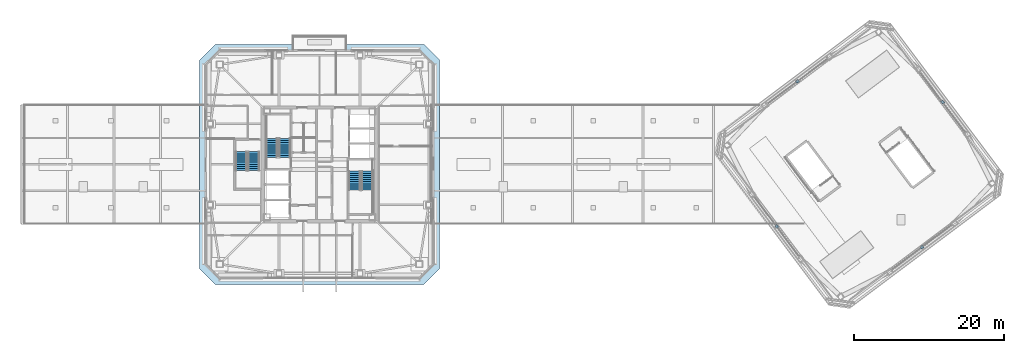
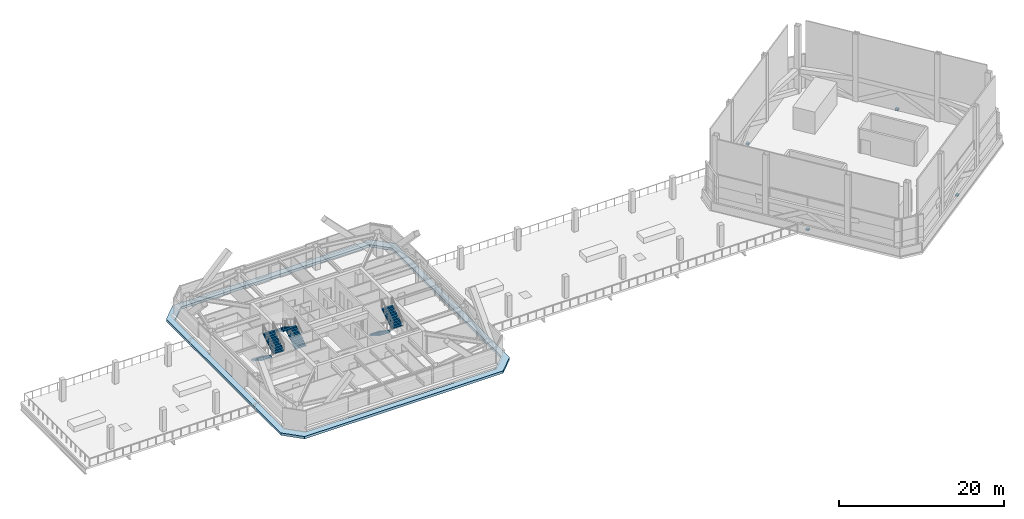
# One storey, part 31 of 37: 6 stair flights, 4 discrete accessories, 1 roof, 3 elements without a shape of their own.
"""IFC4 building model written with IfcOpenShell, lengths in metres."""

from ifc_helpers import new_model, si_unit, direction, frame, origin, origin_2d, place, context, subcontext, project, spatial, polyline, rectangle, outline, extrude, material, layer, layer_set, type_object, element, aggregate, save


model = new_model("IFC4")

# Units and contexts
model_context = context("Model", 3, precision=1e-05, world=origin(), true_north=direction((0.0, 1.0)))
body_context = subcontext(model_context, "Body", "Model", "MODEL_VIEW")
ifc_project = project(units=[si_unit("LENGTHUNIT", "METRE"), si_unit("AREAUNIT", "SQUARE_METRE"), si_unit("VOLUMEUNIT", "CUBIC_METRE"), si_unit("PLANEANGLEUNIT", "RADIAN"), si_unit("MASSUNIT", "GRAM", prefix="KILO")], contexts=[model_context])

# Site, building, storey
site_placement = place(None, origin())
site = spatial("IfcSite", under=ifc_project, at=site_placement, CompositionType="ELEMENT")
building_placement = place(site_placement, origin())
building = spatial("IfcBuilding", under=site, at=building_placement, Name="Tashvorn Skyway Center", CompositionType="ELEMENT")
storey_placement = place(building_placement, frame((0.0, 0.0, 263.39990234375)))
storey = spatial("IfcBuildingStorey", under=building, at=storey_placement, Name="L71", CompositionType="ELEMENT", Elevation=263.39990234375)

# Stair, stair flights
ifc_material_1 = material(Name="Concrete C40/50", Category="concrete")
stair_type = type_object("IfcStairType", Name="STAIR-CORE-1500", PredefinedType="HALF_TURN_STAIR", material=ifc_material_1)
stair_1_placement = place(storey_placement, origin())
stair_1 = element("IfcStair", 1, at=stair_1_placement, inside=storey, type_object=stair_type, Name="L71 Tower 1 Exit Stair 1", PredefinedType="HALF_TURN_STAIR")
stair_flight_type = type_object("IfcStairFlightType", Name="SFLIGHT-1500", PredefinedType="STRAIGHT", material=ifc_material_1)
stair_flight_1_placement = place(storey_placement, frame((37.35009765625, 32.919921875, 0.0), z_axis=(0.0, 0.0, 1.0), x_axis=(0.0, 1.0, 0.0)))
stair_flight_1 = element("IfcStairFlight", 2, at=stair_flight_1_placement, type_object=stair_flight_type, Name="ST-T1-1 flight 1", NumberOfRisers=10, NumberOfTreads=9, PredefinedType="STRAIGHT", RiserHeight=0.1775, TreadLength=0.28, context=body_context, shape_type="SweptSolid", body=[
    extrude(outline(polyline([(0.0, 0.0), (0.0, 0.177490234375), (0.280029296875, 0.177490234375), (0.280029296875, 0.35498046875), (0.56005859375, 0.35498046875), (0.56005859375, 0.532470703125), (0.840087890625, 0.532470703125), (0.840087890625, 0.7099609375), (1.1201171875, 0.7099609375), (1.1201171875, 0.887451171875), (1.39990234375, 0.887451171875), (1.39990234375, 1.06494140625), (1.679931640625, 1.06494140625), (1.679931640625, 1.242431640625), (1.9599609375, 1.242431640625), (1.9599609375, 1.419921875), (2.239990234375, 1.419921875), (2.239990234375, 1.597412109375), (2.52001953125, 1.597412109375), (2.52001953125, 1.77490234375), (2.52001953125, 1.419921875), (0.280029296875, 0.0), (0.0, 0.0)])), frame((0.0, 0.75, 0.0), z_axis=(0.0, -1.0, 0.0), x_axis=(1.0, 0.0, 0.0)), (0.0, 0.0, 1.0), 1.5),
])
stair_flight_2_placement = place(storey_placement, frame((35.64990234375, 35.43994140625, 1.775146484375), z_axis=(0.0, 0.0, 1.0), x_axis=(0.0, -1.0, 0.0)))
stair_flight_2 = element("IfcStairFlight", 3, at=stair_flight_2_placement, type_object=stair_flight_type, Name="ST-T1-1 flight 2", NumberOfRisers=10, NumberOfTreads=9, PredefinedType="STRAIGHT", RiserHeight=0.1775, TreadLength=0.28, context=body_context, shape_type="SweptSolid", body=[
    extrude(outline(polyline([(0.0, 0.0), (0.0, 0.177490234375), (0.280029296875, 0.177490234375), (0.280029296875, 0.35498046875), (0.56005859375, 0.35498046875), (0.56005859375, 0.532470703125), (0.840087890625, 0.532470703125), (0.840087890625, 0.7099609375), (1.1201171875, 0.7099609375), (1.1201171875, 0.887451171875), (1.39990234375, 0.887451171875), (1.39990234375, 1.06494140625), (1.679931640625, 1.06494140625), (1.679931640625, 1.242431640625), (1.9599609375, 1.242431640625), (1.9599609375, 1.419921875), (2.239990234375, 1.419921875), (2.239990234375, 1.597412109375), (2.52001953125, 1.597412109375), (2.52001953125, 1.77490234375), (2.52001953125, 1.419921875), (0.280029296875, 0.0), (0.0, 0.0)])), frame((0.0, 0.75, 0.0), z_axis=(0.0, -1.0, 0.0), x_axis=(1.0, 0.0, 0.0)), (0.0, 0.0, 1.0), 1.5),
])
aggregate(stair_1, [stair_flight_1, stair_flight_2])

stair_2_placement = place(storey_placement, origin())
stair_2 = element("IfcStair", 4, at=stair_2_placement, inside=storey, type_object=stair_type, Name="L71 Tower 1 Exit Stair 2", PredefinedType="HALF_TURN_STAIR")
stair_flight_3_placement = place(storey_placement, frame((46.64990234375, 31.080078125, 0.0), z_axis=(0.0, 0.0, 1.0), x_axis=(0.0, -1.0, 0.0)))
stair_flight_3 = element("IfcStairFlight", 5, at=stair_flight_3_placement, type_object=stair_flight_type, Name="ST-T1-2 flight 1", NumberOfRisers=10, NumberOfTreads=9, PredefinedType="STRAIGHT", RiserHeight=0.1775, TreadLength=0.28, context=body_context, shape_type="SweptSolid", body=[
    extrude(outline(polyline([(0.0, 0.0), (0.0, 0.177490234375), (0.280029296875, 0.177490234375), (0.280029296875, 0.35498046875), (0.56005859375, 0.35498046875), (0.56005859375, 0.532470703125), (0.840087890625, 0.532470703125), (0.840087890625, 0.7099609375), (1.1201171875, 0.7099609375), (1.1201171875, 0.887451171875), (1.39990234375, 0.887451171875), (1.39990234375, 1.06494140625), (1.679931640625, 1.06494140625), (1.679931640625, 1.242431640625), (1.9599609375, 1.242431640625), (1.9599609375, 1.419921875), (2.239990234375, 1.419921875), (2.239990234375, 1.597412109375), (2.52001953125, 1.597412109375), (2.52001953125, 1.77490234375), (2.52001953125, 1.419921875), (0.280029296875, 0.0), (0.0, 0.0)])), frame((0.0, 0.75, 0.0), z_axis=(0.0, -1.0, 0.0), x_axis=(1.0, 0.0, 0.0)), (0.0, 0.0, 1.0), 1.5),
])
stair_flight_4_placement = place(storey_placement, frame((48.35009765625, 28.56005859375, 1.775146484375), z_axis=(0.0, 0.0, 1.0), x_axis=(0.0, 1.0, 0.0)))
stair_flight_4 = element("IfcStairFlight", 6, at=stair_flight_4_placement, type_object=stair_flight_type, Name="ST-T1-2 flight 2", NumberOfRisers=10, NumberOfTreads=9, PredefinedType="STRAIGHT", RiserHeight=0.1775, TreadLength=0.28, context=body_context, shape_type="SweptSolid", body=[
    extrude(outline(polyline([(0.0, 0.0), (0.0, 0.177490234375), (0.280029296875, 0.177490234375), (0.280029296875, 0.35498046875), (0.56005859375, 0.35498046875), (0.56005859375, 0.532470703125), (0.840087890625, 0.532470703125), (0.840087890625, 0.7099609375), (1.1201171875, 0.7099609375), (1.1201171875, 0.887451171875), (1.39990234375, 0.887451171875), (1.39990234375, 1.06494140625), (1.679931640625, 1.06494140625), (1.679931640625, 1.242431640625), (1.9599609375, 1.242431640625), (1.9599609375, 1.419921875), (2.239990234375, 1.419921875), (2.239990234375, 1.597412109375), (2.52001953125, 1.597412109375), (2.52001953125, 1.77490234375), (2.52001953125, 1.419921875), (0.280029296875, 0.0), (0.0, 0.0)])), frame((0.0, 0.75, 0.0), z_axis=(0.0, -1.0, 0.0), x_axis=(1.0, 0.0, 0.0)), (0.0, 0.0, 1.0), 1.5),
])
aggregate(stair_2, [stair_flight_3, stair_flight_4])

stair_3_placement = place(storey_placement, origin())
stair_3 = element("IfcStair", 7, at=stair_3_placement, inside=storey, type_object=stair_type, Name="L71 Tower 1 Exit Stair 3", PredefinedType="HALF_TURN_STAIR")
stair_flight_5_placement = place(storey_placement, frame((31.550048828125, 33.679931640625, 0.0), z_axis=(0.0, 0.0, 1.0), x_axis=(0.0, -1.0, 0.0)))
stair_flight_5 = element("IfcStairFlight", 8, at=stair_flight_5_placement, type_object=stair_flight_type, Name="ST-T1-3 flight 1", NumberOfRisers=10, NumberOfTreads=9, PredefinedType="STRAIGHT", RiserHeight=0.1775, TreadLength=0.28, context=body_context, shape_type="SweptSolid", body=[
    extrude(outline(polyline([(0.0, 0.0), (0.0, 0.177490234375), (0.280029296875, 0.177490234375), (0.280029296875, 0.35498046875), (0.56005859375, 0.35498046875), (0.56005859375, 0.532470703125), (0.840087890625, 0.532470703125), (0.840087890625, 0.7099609375), (1.1201171875, 0.7099609375), (1.1201171875, 0.887451171875), (1.39990234375, 0.887451171875), (1.39990234375, 1.06494140625), (1.679931640625, 1.06494140625), (1.679931640625, 1.242431640625), (1.9599609375, 1.242431640625), (1.9599609375, 1.419921875), (2.239990234375, 1.419921875), (2.239990234375, 1.597412109375), (2.52001953125, 1.597412109375), (2.52001953125, 1.77490234375), (2.52001953125, 1.419921875), (0.280029296875, 0.0), (0.0, 0.0)])), frame((0.0, 0.75, 0.0), z_axis=(0.0, -1.0, 0.0), x_axis=(1.0, 0.0, 0.0)), (0.0, 0.0, 1.0), 1.5),
])
stair_flight_6_placement = place(storey_placement, frame((33.25, 31.159912109375, 1.775146484375), z_axis=(0.0, 0.0, 1.0), x_axis=(0.0, 1.0, 0.0)))
stair_flight_6 = element("IfcStairFlight", 9, at=stair_flight_6_placement, type_object=stair_flight_type, Name="ST-T1-3 flight 2", NumberOfRisers=10, NumberOfTreads=9, PredefinedType="STRAIGHT", RiserHeight=0.1775, TreadLength=0.28, context=body_context, shape_type="SweptSolid", body=[
    extrude(outline(polyline([(0.0, 0.0), (0.0, 0.177490234375), (0.280029296875, 0.177490234375), (0.280029296875, 0.35498046875), (0.56005859375, 0.35498046875), (0.56005859375, 0.532470703125), (0.840087890625, 0.532470703125), (0.840087890625, 0.7099609375), (1.1201171875, 0.7099609375), (1.1201171875, 0.887451171875), (1.39990234375, 0.887451171875), (1.39990234375, 1.06494140625), (1.679931640625, 1.06494140625), (1.679931640625, 1.242431640625), (1.9599609375, 1.242431640625), (1.9599609375, 1.419921875), (2.239990234375, 1.419921875), (2.239990234375, 1.597412109375), (2.52001953125, 1.597412109375), (2.52001953125, 1.77490234375), (2.52001953125, 1.419921875), (0.280029296875, 0.0), (0.0, 0.0)])), frame((0.0, 0.75, 0.0), z_axis=(0.0, -1.0, 0.0), x_axis=(1.0, 0.0, 0.0)), (0.0, 0.0, 1.0), 1.5),
])
aggregate(stair_3, [stair_flight_5, stair_flight_6])

# Roof
ifc_material_2 = material(Name="Architectural glazed Mojave terracotta roof and cornice system", Category="masonry")
ifc_layer = layer(ifc_material_2, 0.360107421875)
ifc_layer_set = layer_set([ifc_layer], Name="Architectural glazed Mojave terracotta roof and cornice system")
roof_type = type_object("IfcRoofType", Name="ROOF-PM-CORNICE", PredefinedType="GABLE_ROOF", material=ifc_layer_set)
roof_placement = place(storey_placement, origin())
element("IfcRoof", 10, at=roof_placement, inside=storey, type_object=roof_type, Name="Tower 1 L71 Postmodern Setback Terracotta Cornice", PredefinedType="GABLE_ROOF", context=body_context, shape_type="SweptSolid", body=[
    extrude(outline(polyline([(28.10009765625, 16.0), (55.89990234375, 16.0), (58.0, 18.10009765625), (58.0, 45.89990234375), (55.89990234375, 48.0), (28.10009765625, 48.0), (26.0, 45.89990234375), (26.0, 18.10009765625), (28.10009765625, 16.0)]), holes=[polyline([(28.800048828125, 16.800048828125), (55.199951171875, 16.800048828125), (57.199951171875, 18.800048828125), (57.199951171875, 45.199951171875), (55.199951171875, 47.199951171875), (28.800048828125, 47.199951171875), (26.800048828125, 45.199951171875), (26.800048828125, 18.800048828125), (28.800048828125, 16.800048828125)])]), origin(), (0.0, 0.0, 1.0), 0.360107421875),
])

# Discrete accessories
ifc_material_3 = material(Name="Steel ASTM A572 Grade 50", Category="steel")
discrete_accessory_type = type_object("IfcDiscreteAccessoryType", Name="ACC-BRACKET-350", PredefinedType="BRACKET", material=ifc_material_3)
for number, where, z_axis, x_axis, name in (
    (11, (122.2919921875, 20.944091796875, 0.025146484375), (0.0, 0.0, 1.0), (0.799999996291, 0.600000004945, 0.0), "Crown Solar Screen Fixing Bracket Tower 2 S"),
    (12, (125.055908203125, 40.2919921875, 0.025146484375), (0.0, 0.0, 1.0), (-0.600000004945, 0.799999996291, 0.0), "Crown Solar Screen Fixing Bracket Tower 2 E"),
    (13, (105.7080078125, 43.055908203125, 0.025146484375), (0.0, 0.0, 1.0), (-0.799999996291, -0.600000004945, 0.0), "Crown Solar Screen Fixing Bracket Tower 2 N"),
    (14, (102.944091796875, 23.7080078125, 0.025146484375), (0.0, 0.0, 1.0), (0.600000004945, -0.799999996291, 0.0), "Crown Solar Screen Fixing Bracket Tower 2 W"),
):
    element("IfcDiscreteAccessory", number, at=place(storey_placement, frame(where, z_axis=z_axis, x_axis=x_axis)), inside=storey, type_object=discrete_accessory_type, Name=name, PredefinedType="BRACKET", context=body_context, shape_type="SweptSolid", body=[
        extrude(rectangle(XDim=0.419921875, YDim=0.35009765625, at=origin_2d()), origin(), (0.0, 0.0, 1.0), 0.25),
    ])

save(model, "model.ifc")
